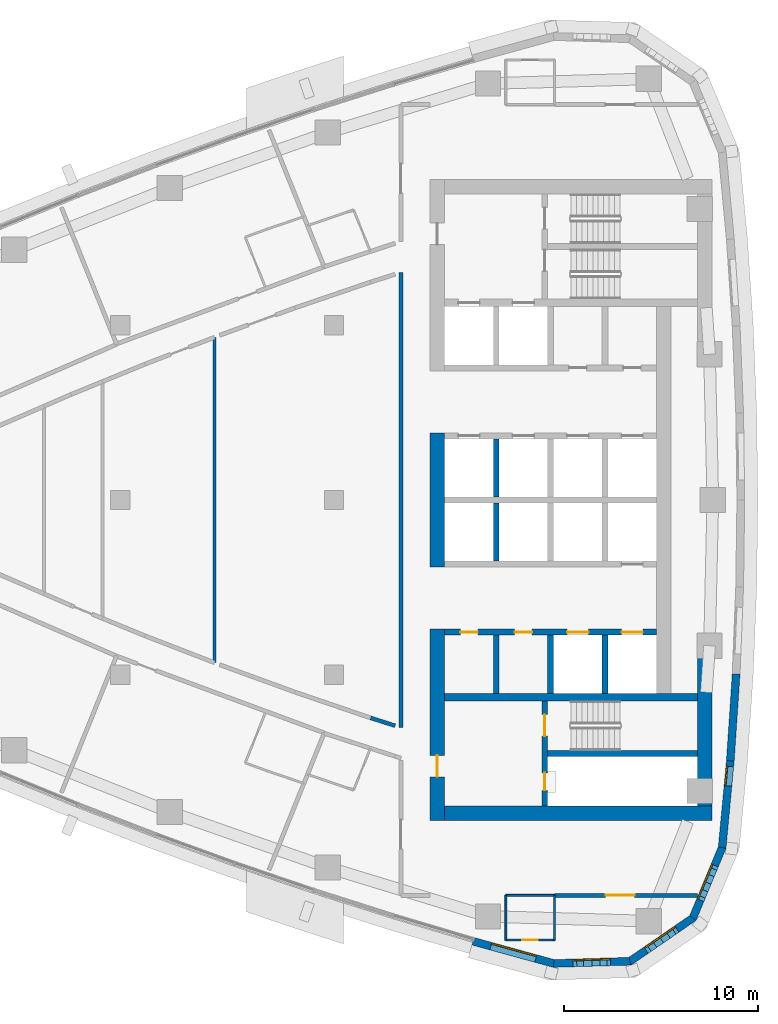
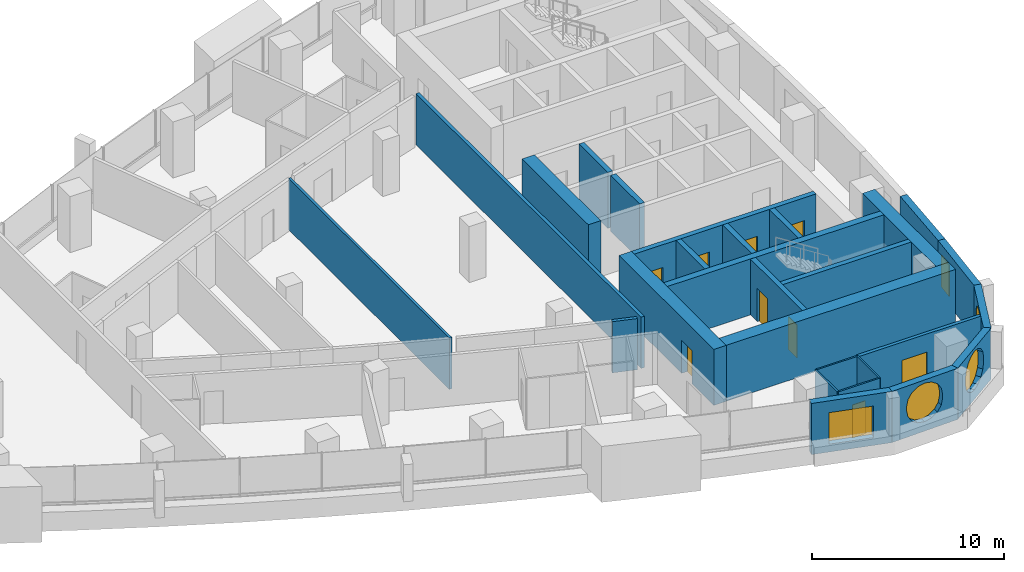
# One storey, part 10 of 17: 27 walls, 9 doors, 5 windows, 14 openings.
"""IFC4 building model written with IfcOpenShell, lengths in metres."""

import ifcopenshell
import ifcopenshell.guid

model = None  # the IFC model being written
_history = None  # IfcOwnerHistory: only IFC2X3 demands one
_inside = {}  # id of a spatial element -> (the spatial element, [elements in it])
_under = {}  # id of a project, library or spatial element -> (it, [spatial elements below it])
_declared = {}  # id of a project -> (the project, [libraries it declares])
_typed = {}  # id of a type object -> (the type object, [elements of that type])
_made_of = {}  # id of a material, layer set ... -> (it, [elements and type objects made of it])


def new_model(schema):
    """Start an empty IFC model of exactly this schema.

    Asked for "IFC4X3", IfcOpenShell would pick the latest addendum, in which some entities
    have other attributes; the version numbers below select the first issue.
    IFC2X3 requires an IfcOwnerHistory on every rooted entity: one is made here for all.
    """
    global model, _history
    if schema == "IFC4X3":
        model = ifcopenshell.file(schema_version=(4, 3, 0, 0))
    else:
        model = ifcopenshell.file(schema=schema)
    _inside.clear()
    _under.clear()
    _declared.clear()
    _typed.clear()
    _made_of.clear()
    _history = None
    if model.schema == "IFC2X3":
        org = make("IfcOrganization", Name="unknown")
        user = make(
            "IfcPersonAndOrganization",
            ThePerson=make("IfcPerson", FamilyName="unknown"),
            TheOrganization=org,
        )
        app = make(
            "IfcApplication",
            ApplicationDeveloper=org,
            Version="unknown",
            ApplicationFullName="unknown",
            ApplicationIdentifier="unknown",
        )
        _history = make(
            "IfcOwnerHistory",
            OwningUser=user,
            OwningApplication=app,
            ChangeAction="ADDED",
            CreationDate=0,
        )
    return model


def make(cls, **values):
    """One entity of the class cls with the attributes given. An attribute that is None is left unset."""
    return model.create_entity(
        cls, **{name: value for name, value in values.items() if value is not None}
    )


def rooted(cls, **values):
    """An entity with a GlobalId (a new one), such as an element, a storey or a relation."""
    return make(cls, GlobalId=ifcopenshell.guid.new(), OwnerHistory=_history, **values)


def si_unit(unit_type, name, prefix=None):
    """IfcSIUnit, for example si_unit("LENGTHUNIT", "METRE", prefix="MILLI")."""
    return make("IfcSIUnit", UnitType=unit_type, Prefix=prefix, Name=name)


def assignment(units):
    """IfcUnitAssignment: the units of a project."""
    return None if units is None else make("IfcUnitAssignment", Units=units)


def point(xyz):
    """IfcCartesianPoint."""
    return None if xyz is None else make("IfcCartesianPoint", Coordinates=xyz)


def direction(xyz):
    """IfcDirection."""
    return None if xyz is None else make("IfcDirection", DirectionRatios=xyz)


def frame(location, z_axis=None, x_axis=None):
    """IfcAxis2Placement3D, a coordinate frame: its origin and axes. An axis left out is left unset."""
    return make(
        "IfcAxis2Placement3D",
        Location=point(location),
        Axis=direction(z_axis),
        RefDirection=direction(x_axis),
    )


def frame_2d(location, x_axis=None):
    """IfcAxis2Placement2D, a coordinate frame in the plane: its origin and x axis."""
    return make(
        "IfcAxis2Placement2D", Location=point(location), RefDirection=direction(x_axis)
    )


def origin():
    """The frame at (0, 0, 0) with its axes left unset."""
    return frame((0.0, 0.0, 0.0))


def place(relative_to, where):
    """IfcLocalPlacement: puts the frame where relative to a parent placement (None: the world)."""
    return make(
        "IfcLocalPlacement", PlacementRelTo=relative_to, RelativePlacement=where
    )


def context(
    kind, dimensions, precision=None, world=None, true_north=None, identifier=None
):
    """IfcGeometricRepresentationContext, for example the 3D "Model" context."""
    return make(
        "IfcGeometricRepresentationContext",
        ContextIdentifier=identifier,
        ContextType=kind,
        CoordinateSpaceDimension=dimensions,
        Precision=precision,
        WorldCoordinateSystem=world,
        TrueNorth=true_north,
    )


def subcontext(parent, identifier, kind, view, scale=None):
    """IfcGeometricRepresentationSubContext, for example "Body" below "Model"."""
    return make(
        "IfcGeometricRepresentationSubContext",
        ContextIdentifier=identifier,
        ContextType=kind,
        ParentContext=parent,
        TargetScale=scale,
        TargetView=view,
    )


def project(units=None, contexts=None):
    """IfcProject with its units and contexts."""
    return rooted(
        "IfcProject",
        Name="project",
        RepresentationContexts=contexts,
        UnitsInContext=assignment(units),
    )


def spatial(cls, under=None, at=None, **own):
    """A site, building, storey or space (cls), placed at a placement, below another one or the project."""
    s = rooted(cls, ObjectPlacement=at, **own)
    if under is not None:
        _under.setdefault(under.id(), (under, []))[1].append(s)
    return s


def polyline(points):
    """IfcPolyline through the points."""
    return make("IfcPolyline", Points=[point(p) for p in points])


def profile(cls, at=None, kind="AREA", **sizes):
    """A parametric profile (cls). Its sizes go by their IFC names, for example OverallWidth=200.0."""
    return make(cls, ProfileType=kind, Position=at, **sizes)


def rectangle(**sizes):
    """IfcRectangleProfileDef."""
    return profile("IfcRectangleProfileDef", **sizes)


def outline(outer, holes=None, kind="AREA"):
    """IfcArbitraryClosedProfileDef: a profile drawn as a closed curve; with holes, ...WithVoids."""
    if holes is None:
        return make("IfcArbitraryClosedProfileDef", ProfileType=kind, OuterCurve=outer)
    return make(
        "IfcArbitraryProfileDefWithVoids",
        ProfileType=kind,
        OuterCurve=outer,
        InnerCurves=holes,
    )


def extrude(swept, where, along, depth):
    """IfcExtrudedAreaSolid: the profile swept, set in the frame where, extruded along a direction by depth."""
    return make(
        "IfcExtrudedAreaSolid",
        SweptArea=swept,
        Position=where,
        ExtrudedDirection=direction(along),
        Depth=depth,
    )


def shape(context_of_items, identifier, shape_type, items):
    """IfcShapeRepresentation: the items that make up one representation, for example the "Body"."""
    return make(
        "IfcShapeRepresentation",
        ContextOfItems=context_of_items,
        RepresentationIdentifier=identifier,
        RepresentationType=shape_type,
        Items=items,
    )


def material(Name=None, Category=None):
    """IfcMaterial."""
    return make("IfcMaterial", Name=Name, Category=Category)


def layer(
    of_material, thickness, ventilated=None, Name=None, Category=None, Priority=None
):
    """IfcMaterialLayer: one layer of a wall or slab, of a material (None: an air gap)."""
    return make(
        "IfcMaterialLayer",
        Material=of_material,
        LayerThickness=thickness,
        IsVentilated=ventilated,
        Name=Name,
        Category=Category,
        Priority=Priority,
    )


def layer_set(layers, Name=None):
    """IfcMaterialLayerSet."""
    return make("IfcMaterialLayerSet", MaterialLayers=layers, LayerSetName=Name)


def made_of(thing, what):
    """Note that an element or type object is made of a material, layer set ...; save() writes the relation."""
    if what is not None:
        _made_of.setdefault(what.id(), (what, []))[1].append(thing)
    return thing


def type_object(cls, material=None, **own):
    """A type object (cls), such as IfcWallType, which elements share."""
    return made_of(rooted(cls, **own), material)


def element(
    cls,
    number,
    at=None,
    inside=None,
    cuts=None,
    type_object=None,
    material=None,
    context=None,
    identifier="Body",
    shape_type=None,
    held_by="IfcProductDefinitionShape",
    body=None,
    shapes=None,
    **own,
):
    """One element of the class cls, such as IfcWall. Its Tag is "e" and its number.

    at: its placement. inside: the storey or other place that contains it. cuts: it is an
    opening in that element (IfcRelVoidsElement). A single representation is given by context,
    identifier, shape_type and body (its items); several are given by shapes. held_by: the class
    of the entity that holds the representations. save() writes the other relations.
    """
    e = rooted(cls, Tag="e%d" % number, ObjectPlacement=at, **own)
    if body is not None:
        shapes = [shape(context, identifier, shape_type, body)]
    if shapes is not None:
        e.Representation = make(held_by, Representations=shapes)
    if inside is not None:
        _inside.setdefault(inside.id(), (inside, []))[1].append(e)
    if cuts is not None:
        rooted(
            "IfcRelVoidsElement", RelatingBuildingElement=cuts, RelatedOpeningElement=e
        )
    if type_object is not None:
        _typed.setdefault(type_object.id(), (type_object, []))[1].append(e)
    return made_of(e, material)


def fill(opening, filler):
    """IfcRelFillsElement: the door or window that sits in an opening."""
    return rooted(
        "IfcRelFillsElement",
        RelatingOpeningElement=opening,
        RelatedBuildingElement=filler,
    )


def aggregate(whole, parts):
    """IfcRelAggregates: a whole, such as a stair, and the parts it consists of."""
    return rooted("IfcRelAggregates", RelatingObject=whole, RelatedObjects=parts)


def save(model, path):
    """Write the relations noted so far, then the file.

    IfcRelAggregates (storeys below a building ...), IfcRelContainedInSpatialStructure (elements
    in a storey), IfcRelDefinesByType, IfcRelAssociatesMaterial and IfcRelDeclares: one each for
    every whole, place, type object, material and project.
    """
    for whole, parts in _under.values():
        aggregate(whole, parts)
    for where, things in _inside.values():
        rooted(
            "IfcRelContainedInSpatialStructure",
            RelatedElements=things,
            RelatingStructure=where,
        )
    for kind, things in _typed.values():
        rooted("IfcRelDefinesByType", RelatedObjects=things, RelatingType=kind)
    for what, things in _made_of.values():
        rooted("IfcRelAssociatesMaterial", RelatedObjects=things, RelatingMaterial=what)
    for by, libraries in _declared.values():
        rooted("IfcRelDeclares", RelatingContext=by, RelatedDefinitions=libraries)
    model.write(path)


model = new_model("IFC4")

# Units and contexts
model_context = context("Model", 3, precision=1e-05, world=origin(), true_north=direction((0.0, 1.0)))
body_context = subcontext(model_context, "Body", "Model", "MODEL_VIEW")
ifc_project = project(units=[si_unit("LENGTHUNIT", "METRE"), si_unit("AREAUNIT", "SQUARE_METRE"), si_unit("VOLUMEUNIT", "CUBIC_METRE"), si_unit("PLANEANGLEUNIT", "RADIAN"), si_unit("MASSUNIT", "GRAM", prefix="KILO")], contexts=[model_context])

# Site, building, storey
site_placement = place(None, origin())
site = spatial("IfcSite", under=ifc_project, at=site_placement, CompositionType="ELEMENT")
building_placement = place(site_placement, origin())
building = spatial("IfcBuilding", under=site, at=building_placement, Name="Ostrand Prow Hotel Tower", CompositionType="ELEMENT")
storey_placement = place(building_placement, frame((0.0, 0.0, 182.60009765625)))
storey = spatial("IfcBuildingStorey", under=building, at=storey_placement, Name="L45", CompositionType="ELEMENT", Elevation=182.60009765625)

# Wall
ifc_material_1 = material(Name="Concrete C60/75", Category="concrete")
ifc_layer_1 = layer(ifc_material_1, 0.300048828125)
ifc_layer_set_1 = layer_set([ifc_layer_1], Name="Concrete C60/75")
wall_type_1 = type_object("IfcWallType", Name="Core wall 300 C60/75", PredefinedType="SHEAR", material=ifc_layer_set_1)
wall_1_placement = place(storey_placement, frame((53.35009765625, 0.14990234375, 0.0), z_axis=(0.0, 0.0, 1.0), x_axis=(0.0, 1.0, 0.0)))
element("IfcWall", 1, at=wall_1_placement, inside=storey, type_object=wall_type_1, Name="Core wall PW-R1-NB", PredefinedType="SHEAR", context=body_context, shape_type="SweptSolid", body=[
    extrude(rectangle(XDim=3.0, YDim=0.300048828125, at=frame_2d((1.5, 0.0))), origin(), (0.0, 0.0, 1.0), 3.5498046875),
])

# Wall, openings, doors
wall_2_placement = place(storey_placement, frame((50.699951171875, -6.800048828125, 0.0), z_axis=(0.0, 0.0, 1.0), x_axis=(1.0, 0.0, 0.0)))
wall_2 = element("IfcWall", 2, at=wall_2_placement, inside=storey, type_object=wall_type_1, Name="Core wall PW-L2-S", PredefinedType="SHEAR", context=body_context, shape_type="SweptSolid", body=[
    extrude(rectangle(XDim=10.900146484375, YDim=0.300048828125, at=frame_2d((5.4501953125, 0.0))), origin(), (0.0, 0.0, 1.0), 3.5498046875),
])
opening_1_placement = place(wall_2_placement, frame((6.300048828125, 0.0, 0.0)))
opening_1 = element("IfcOpeningElement", 3, at=opening_1_placement, cuts=wall_2, Name="Opening LD", PredefinedType="OPENING", context=body_context, shape_type="SweptSolid", body=[
    extrude(rectangle(XDim=1.10009765625, YDim=2.10009765625, at=frame_2d((0.550048828125, 1.050048828125))), frame((0.0, 0.159912109375, 0.0), z_axis=(0.0, -1.0, 0.0), x_axis=(1.0, 0.0, 0.0)), (0.0, 0.0, 1.0), 0.320068359375),
])
opening_2_placement = place(wall_2_placement, frame((9.10009765625, 0.0, 0.0)))
opening_2 = element("IfcOpeningElement", 4, at=opening_2_placement, cuts=wall_2, Name="Opening LD", PredefinedType="OPENING", context=body_context, shape_type="SweptSolid", body=[
    extrude(rectangle(XDim=1.10009765625, YDim=2.10009765625, at=frame_2d((0.550048828125, 1.050048828125))), frame((0.0, 0.159912109375, 0.0), z_axis=(0.0, -1.0, 0.0), x_axis=(1.0, 0.0, 0.0)), (0.0, 0.0, 1.0), 0.320068359375),
])
opening_3_placement = place(wall_2_placement, frame((0.800048828125, 0.0, 0.0)))
opening_3 = element("IfcOpeningElement", 5, at=opening_3_placement, cuts=wall_2, Name="Opening FD2", PredefinedType="OPENING", context=body_context, shape_type="SweptSolid", body=[
    extrude(rectangle(XDim=0.89990234375, YDim=2.10009765625, at=frame_2d((0.449951171875, 1.050048828125))), frame((0.0, 0.159912109375, 0.0), z_axis=(0.0, -1.0, 0.0), x_axis=(1.0, 0.0, 0.0)), (0.0, 0.0, 1.0), 0.320068359375),
])
opening_4_placement = place(wall_2_placement, frame((3.60009765625, 0.0, 0.0)))
opening_4 = element("IfcOpeningElement", 6, at=opening_4_placement, cuts=wall_2, Name="Opening FD2", PredefinedType="OPENING", context=body_context, shape_type="SweptSolid", body=[
    extrude(rectangle(XDim=0.89990234375, YDim=2.10009765625, at=frame_2d((0.449951171875, 1.050048828125))), frame((0.0, 0.159912109375, 0.0), z_axis=(0.0, -1.0, 0.0), x_axis=(1.0, 0.0, 0.0)), (0.0, 0.0, 1.0), 0.320068359375),
])
ifc_material_2 = material(Name="Steel fire door", Category="steel")
door_type_1 = type_object("IfcDoorType", Name="Fire door 900 EI120", OperationType="SINGLE_SWING_LEFT", PredefinedType="DOOR", material=ifc_material_2)
door_1_placement = place(opening_3_placement, origin())
door_1 = element("IfcDoor", 7, at=door_1_placement, inside=storey, type_object=door_type_1, Name="DOOR", OperationType="SINGLE_SWING_LEFT", OverallHeight=2.10009765625, OverallWidth=0.89990234375, PredefinedType="DOOR", context=body_context, shape_type="SweptSolid", body=[
    extrude(rectangle(XDim=0.89990234375, YDim=2.10009765625, at=frame_2d((0.449951171875, 1.050048828125))), frame((0.0, 0.02490234375, 0.0), z_axis=(0.0, -1.0, 0.0), x_axis=(1.0, 0.0, 0.0)), (0.0, 0.0, 1.0), 0.050048828125),
])
fill(opening_3, door_1)
door_2_placement = place(opening_4_placement, origin())
door_2 = element("IfcDoor", 8, at=door_2_placement, inside=storey, type_object=door_type_1, Name="DOOR", OperationType="SINGLE_SWING_LEFT", OverallHeight=2.10009765625, OverallWidth=0.89990234375, PredefinedType="DOOR", context=body_context, shape_type="SweptSolid", body=[
    extrude(rectangle(XDim=0.89990234375, YDim=2.10009765625, at=frame_2d((0.449951171875, 1.050048828125))), frame((0.0, 0.02490234375, 0.0), z_axis=(0.0, -1.0, 0.0), x_axis=(1.0, 0.0, 0.0)), (0.0, 0.0, 1.0), 0.050048828125),
])
fill(opening_4, door_2)
ifc_material_3 = material(Name="Stainless steel door", Category="steel")
door_type_2 = type_object("IfcDoorType", Name="Lift landing door 1100", OperationType="DOUBLE_DOOR_SLIDING", PredefinedType="DOOR", material=ifc_material_3)
door_3_placement = place(opening_1_placement, origin())
door_3 = element("IfcDoor", 9, at=door_3_placement, inside=storey, type_object=door_type_2, Name="LIFT LANDING DOOR", OperationType="DOUBLE_DOOR_SLIDING", OverallHeight=2.10009765625, OverallWidth=1.10009765625, PredefinedType="DOOR", context=body_context, shape_type="SweptSolid", body=[
    extrude(rectangle(XDim=1.10009765625, YDim=2.10009765625, at=frame_2d((0.550048828125, 1.050048828125))), frame((0.0, 0.02490234375, 0.0), z_axis=(0.0, -1.0, 0.0), x_axis=(1.0, 0.0, 0.0)), (0.0, 0.0, 1.0), 0.050048828125),
])
fill(opening_1, door_3)
door_4_placement = place(opening_2_placement, origin())
door_4 = element("IfcDoor", 10, at=door_4_placement, inside=storey, type_object=door_type_2, Name="LIFT LANDING DOOR", OperationType="DOUBLE_DOOR_SLIDING", OverallHeight=2.10009765625, OverallWidth=1.10009765625, PredefinedType="DOOR", context=body_context, shape_type="SweptSolid", body=[
    extrude(rectangle(XDim=1.10009765625, YDim=2.10009765625, at=frame_2d((0.550048828125, 1.050048828125))), frame((0.0, 0.02490234375, 0.0), z_axis=(0.0, -1.0, 0.0), x_axis=(1.0, 0.0, 0.0)), (0.0, 0.0, 1.0), 0.050048828125),
])
fill(opening_2, door_4)

# Walls
for number, where, z_axis, x_axis, name in (
    (11, (53.35009765625, -3.14990234375, 0.0), (0.0, 0.0, 1.0), (0.0, 1.0, 0.0), "Core wall PW-R1-SB"),
    (12, (53.35009765625, -9.949951171875, 0.0), (0.0, 0.0, 1.0), (0.0, 1.0, 0.0), "Core wall PW-R1-SA"),
    (13, (56.14990234375, -9.949951171875, 0.0), (0.0, 0.0, 1.0), (0.0, 1.0, 0.0), "Core wall PW-R2-SA"),
    (14, (58.949951171875, -9.949951171875, 0.0), (0.0, 0.0, 1.0), (0.0, 1.0, 0.0), "Core wall PW-R3-SA"),
):
    element("IfcWall", number, at=place(storey_placement, frame(where, z_axis=z_axis, x_axis=x_axis)), inside=storey, type_object=wall_type_1, Name=name, PredefinedType="SHEAR", context=body_context, shape_type="SweptSolid", body=[
        extrude(rectangle(XDim=3.0, YDim=0.300048828125, at=frame_2d((1.5, 0.0))), origin(), (0.0, 0.0, 1.0), 3.5498046875),
    ])

# Wall, openings, doors
wall_3_placement = place(storey_placement, frame((55.85009765625, -15.75, 0.0), z_axis=(0.0, 0.0, 1.0), x_axis=(0.0, 1.0, 0.0)))
wall_3 = element("IfcWall", 15, at=wall_3_placement, inside=storey, type_object=wall_type_1, Name="Core wall PW-VS", PredefinedType="SHEAR", context=body_context, shape_type="SweptSolid", body=[
    extrude(rectangle(XDim=5.39990234375, YDim=0.300048828125, at=frame_2d((2.699951171875, 0.0))), origin(), (0.0, 0.0, 1.0), 3.5498046875),
])
opening_5_placement = place(wall_3_placement, frame((3.60009765625, 0.0, 0.0)))
opening_5 = element("IfcOpeningElement", 16, at=opening_5_placement, cuts=wall_3, Name="Opening FD1", PredefinedType="OPENING", context=body_context, shape_type="SweptSolid", body=[
    extrude(rectangle(XDim=1.10009765625, YDim=2.10009765625, at=frame_2d((0.550048828125, 1.050048828125))), frame((0.0, 0.159912109375, 0.0), z_axis=(0.0, -1.0, 0.0), x_axis=(1.0, 0.0, 0.0)), (0.0, 0.0, 1.0), 0.320068359375),
])
opening_6_placement = place(wall_3_placement, frame((0.800048828125, 0.0, 0.0)))
opening_6 = element("IfcOpeningElement", 17, at=opening_6_placement, cuts=wall_3, Name="Opening FD2", PredefinedType="OPENING", context=body_context, shape_type="SweptSolid", body=[
    extrude(rectangle(XDim=0.89990234375, YDim=2.10009765625, at=frame_2d((0.449951171875, 1.050048828125))), frame((0.0, 0.159912109375, 0.0), z_axis=(0.0, -1.0, 0.0), x_axis=(1.0, 0.0, 0.0)), (0.0, 0.0, 1.0), 0.320068359375),
])
ifc_material_4 = material(Name="Steel fire door", Category="steel")
door_type_3 = type_object("IfcDoorType", Name="Fire door 1100 EI120", OperationType="SINGLE_SWING_RIGHT", PredefinedType="DOOR", material=ifc_material_4)
door_5_placement = place(opening_5_placement, origin())
door_5 = element("IfcDoor", 18, at=door_5_placement, inside=storey, type_object=door_type_3, Name="FIRE DOOR", OperationType="SINGLE_SWING_RIGHT", OverallHeight=2.10009765625, OverallWidth=1.10009765625, PredefinedType="DOOR", context=body_context, shape_type="SweptSolid", body=[
    extrude(rectangle(XDim=1.10009765625, YDim=2.10009765625, at=frame_2d((0.550048828125, 1.050048828125))), frame((0.0, 0.02490234375, 0.0), z_axis=(0.0, -1.0, 0.0), x_axis=(1.0, 0.0, 0.0)), (0.0, 0.0, 1.0), 0.050048828125),
])
fill(opening_5, door_5)
door_6_placement = place(opening_6_placement, origin())
door_6 = element("IfcDoor", 19, at=door_6_placement, inside=storey, type_object=door_type_1, Name="FIRE DOOR", OperationType="SINGLE_SWING_LEFT", OverallHeight=2.10009765625, OverallWidth=0.89990234375, PredefinedType="DOOR", context=body_context, shape_type="SweptSolid", body=[
    extrude(rectangle(XDim=0.89990234375, YDim=2.10009765625, at=frame_2d((0.449951171875, 1.050048828125))), frame((0.0, 0.02490234375, 0.0), z_axis=(0.0, -1.0, 0.0), x_axis=(1.0, 0.0, 0.0)), (0.0, 0.0, 1.0), 0.050048828125),
])
fill(opening_6, door_6)

# Walls
wall_4_placement = place(storey_placement, frame((56.0, -13.050048828125, 0.0), z_axis=(0.0, 0.0, 1.0), x_axis=(1.0, 0.0, 0.0)))
element("IfcWall", 20, at=wall_4_placement, inside=storey, type_object=wall_type_1, Name="Core wall PW-ST2R", PredefinedType="SHEAR", context=body_context, shape_type="SweptSolid", body=[
    extrude(rectangle(XDim=7.719970703125, YDim=0.300048828125, at=frame_2d((3.85986328125, 0.0))), origin(), (0.0, 0.0, 1.0), 3.5498046875),
])
ifc_material_5 = material(Name="Concrete C60/75", Category="concrete")
ifc_layer_2 = layer(ifc_material_5, 0.39990234375)
ifc_layer_set_2 = layer_set([ifc_layer_2], Name="Concrete C60/75")
wall_type_2 = type_object("IfcWallType", Name="Core wall 400 C60/75", PredefinedType="SHEAR", material=ifc_layer_set_2)
wall_5_placement = place(storey_placement, frame((50.699951171875, -10.14990234375, 0.0), z_axis=(0.0, 0.0, 1.0), x_axis=(1.0, 0.0, 0.0)))
element("IfcWall", 21, at=wall_5_placement, inside=storey, type_object=wall_type_2, Name="Core wall PW-BS", PredefinedType="SHEAR", context=body_context, shape_type="SweptSolid", body=[
    extrude(rectangle(XDim=13.02001953125, YDim=0.39990234375, at=frame_2d((6.510009765625, 0.0))), origin(), (0.0, 0.0, 1.0), 3.5498046875),
])
ifc_material_6 = material(Name="Concrete C60/75", Category="concrete")
ifc_layer_3 = layer(ifc_material_6, 0.75)
ifc_layer_set_3 = layer_set([ifc_layer_3], Name="Concrete C60/75")
wall_type_3 = type_object("IfcWallType", Name="Core wall 750 C60/75", PredefinedType="SHEAR", material=ifc_layer_set_3)
wall_6_placement = place(storey_placement, frame((50.324951171875, -3.449951171875, 0.0), z_axis=(0.0, 0.0, 1.0), x_axis=(0.0, 1.0, 0.0)))
element("IfcWall", 22, at=wall_6_placement, inside=storey, type_object=wall_type_3, Name="Core wall CW-W-C", PredefinedType="SHEAR", context=body_context, shape_type="SweptSolid", body=[
    extrude(rectangle(XDim=6.89990234375, YDim=0.75, at=frame_2d((3.449951171875, 0.0))), origin(), (0.0, 0.0, 1.0), 3.5498046875),
])

# Wall, opening, door
wall_7_placement = place(storey_placement, frame((50.324951171875, -16.5, 0.0), z_axis=(0.0, 0.0, 1.0), x_axis=(0.0, 1.0, 0.0)))
wall_7 = element("IfcWall", 23, at=wall_7_placement, inside=storey, type_object=wall_type_3, Name="Core wall CW-W-S", PredefinedType="SHEAR", context=body_context, shape_type="SweptSolid", body=[
    extrude(rectangle(XDim=9.85009765625, YDim=0.75, at=frame_2d((4.925048828125, 0.0))), origin(), (0.0, 0.0, 1.0), 3.5498046875),
])
opening_7_placement = place(wall_7_placement, frame((2.25, 0.0, 0.0)))
opening_7 = element("IfcOpeningElement", 24, at=opening_7_placement, cuts=wall_7, Name="Opening FD1", PredefinedType="OPENING", context=body_context, shape_type="SweptSolid", body=[
    extrude(rectangle(XDim=1.10009765625, YDim=2.10009765625, at=frame_2d((0.550048828125, 1.050048828125))), frame((0.0, 0.385009765625, 0.0), z_axis=(0.0, -1.0, 0.0), x_axis=(1.0, 0.0, 0.0)), (0.0, 0.0, 1.0), 0.77001953125),
])
door_7_placement = place(opening_7_placement, origin())
door_7 = element("IfcDoor", 25, at=door_7_placement, inside=storey, type_object=door_type_3, Name="FIRE DOOR", OperationType="SINGLE_SWING_RIGHT", OverallHeight=2.10009765625, OverallWidth=1.10009765625, PredefinedType="DOOR", context=body_context, shape_type="SweptSolid", body=[
    extrude(rectangle(XDim=1.10009765625, YDim=2.10009765625, at=frame_2d((0.550048828125, 1.050048828125))), frame((0.0, 0.02490234375, 0.0), z_axis=(0.0, -1.0, 0.0), x_axis=(1.0, 0.0, 0.0)), (0.0, 0.0, 1.0), 0.050048828125),
])
fill(opening_7, door_7)

# Walls
wall_8_placement = place(storey_placement, frame((50.699951171875, -16.125, 0.0), z_axis=(0.0, 0.0, 1.0), x_axis=(1.0, 0.0, 0.0)))
element("IfcWall", 26, at=wall_8_placement, inside=storey, type_object=wall_type_3, Name="Core wall CW-S", PredefinedType="SHEAR", context=body_context, shape_type="SweptSolid", body=[
    extrude(rectangle(XDim=13.77001953125, YDim=0.75, at=frame_2d((6.885009765625, 0.0))), origin(), (0.0, 0.0, 1.0), 3.5498046875),
])
wall_9_placement = place(storey_placement, frame((64.094970703125, -15.75, 0.0), z_axis=(0.0, 0.0, 1.0), x_axis=(0.0, 1.0, 0.0)))
element("IfcWall", 27, at=wall_9_placement, inside=storey, type_object=wall_type_3, Name="Core wall CW-E-S", PredefinedType="SHEAR", context=body_context, shape_type="SweptSolid", body=[
    extrude(rectangle(XDim=7.65087890625, YDim=0.75, at=frame_2d((3.825439453125, 0.0))), origin(), (0.0, 0.0, 1.0), 3.5498046875),
])

# Wall, opening, door
ifc_material_7 = material(Name="Plasterboard partition")
ifc_layer_4 = layer(ifc_material_7, 0.10009765625)
ifc_layer_set_4 = layer_set([ifc_layer_4], Name="Plasterboard partition")
wall_type_4 = type_object("IfcWallType", Name="Partition 100 bathroom wall", PredefinedType="PARTITIONING", material=ifc_layer_set_4)
wall_10_placement = place(storey_placement, frame((56.35009765625, -22.64990234375, 0.0), z_axis=(0.0, 0.0, 1.0), x_axis=(-1.0, 0.0, 0.0)))
wall_10 = element("IfcWall", 28, at=wall_10_placement, inside=storey, type_object=wall_type_4, Name="BATHROOM WALL", PredefinedType="PARTITIONING", context=body_context, shape_type="SweptSolid", body=[
    extrude(rectangle(XDim=2.5, YDim=0.10009765625, at=frame_2d((1.25, 0.0))), origin(), (0.0, 0.0, 1.0), 3.25),
])
opening_8_placement = place(wall_10_placement, frame((0.85009765625, 0.0, 0.0)))
opening_8 = element("IfcOpeningElement", 29, at=opening_8_placement, cuts=wall_10, Name="Opening D2", PredefinedType="OPENING", context=body_context, shape_type="SweptSolid", body=[
    extrude(rectangle(XDim=0.800048828125, YDim=2.10009765625, at=frame_2d((0.39990234375, 1.050048828125))), frame((0.0, 0.06005859375, 0.0), z_axis=(0.0, -1.0, 0.0), x_axis=(1.0, 0.0, 0.0)), (0.0, 0.0, 1.0), 0.1201171875),
])
ifc_material_8 = material(Name="Timber door leaf", Category="wood")
door_type_4 = type_object("IfcDoorType", Name="Bathroom door 800", OperationType="SINGLE_SWING_LEFT", PredefinedType="DOOR", material=ifc_material_8)
door_8_placement = place(opening_8_placement, origin())
door_8 = element("IfcDoor", 30, at=door_8_placement, inside=storey, type_object=door_type_4, Name="DOOR", OperationType="SINGLE_SWING_LEFT", OverallHeight=2.10009765625, OverallWidth=0.800048828125, PredefinedType="DOOR", context=body_context, shape_type="SweptSolid", body=[
    extrude(rectangle(XDim=0.800048828125, YDim=2.10009765625, at=frame_2d((0.39990234375, 1.050048828125))), frame((0.0, 0.02490234375, 0.0), z_axis=(0.0, -1.0, 0.0), x_axis=(1.0, 0.0, 0.0)), (0.0, 0.0, 1.0), 0.050048828125),
])
fill(opening_8, door_8)

# Walls
for number, where, z_axis, x_axis, name in (
    (31, (53.85009765625, -22.64990234375, 0.0), (0.0, 0.0, 1.0), (0.0, 1.0, 0.0), "BATHROOM WALL"),
    (32, (56.35009765625, -20.35009765625, 0.0), (0.0, 0.0, 1.0), (0.0, -1.0, 0.0), "BATHROOM WALL"),
):
    element("IfcWall", number, at=place(storey_placement, frame(where, z_axis=z_axis, x_axis=x_axis)), inside=storey, type_object=wall_type_4, Name=name, PredefinedType="PARTITIONING", context=body_context, shape_type="SweptSolid", body=[
        extrude(rectangle(XDim=2.2998046875, YDim=0.10009765625, at=frame_2d((1.14990234375, 0.0))), origin(), (0.0, 0.0, 1.0), 3.25),
    ])
wall_11_placement = place(storey_placement, frame((53.85009765625, -20.35498046875, 0.0), z_axis=(0.0, 0.0, 1.0), x_axis=(1.0, 0.0, 0.0)))
element("IfcWall", 33, at=wall_11_placement, inside=storey, type_object=wall_type_4, Name="BATHROOM WALL", PredefinedType="PARTITIONING", context=body_context, shape_type="SweptSolid", body=[
    extrude(rectangle(XDim=2.5, YDim=0.10009765625, at=frame_2d((1.25, 0.0))), origin(), (0.0, 0.0, 1.0), 3.25),
])
ifc_material_9 = material(Name="Plasterboard partition")
ifc_layer_5 = layer(ifc_material_9, 0.14990234375)
ifc_layer_set_5 = layer_set([ifc_layer_5], Name="Plasterboard partition")
wall_type_5 = type_object("IfcWallType", Name="Partition 150 room partition", PredefinedType="PARTITIONING", material=ifc_layer_set_5)
wall_12_placement = place(storey_placement, frame((38.843017578125, -8.3740234375, 0.0), z_axis=(0.0, 0.0, 1.0), x_axis=(0.0, 1.0, 0.0)))
element("IfcWall", 34, at=wall_12_placement, inside=storey, type_object=wall_type_5, Name="ROOM PARTITION", PredefinedType="PARTITIONING", context=body_context, shape_type="SweptSolid", body=[
    extrude(rectangle(XDim=16.748046875, YDim=0.14990234375, at=frame_2d((8.3740234375, 0.0))), origin(), (0.0, 0.0, 1.0), 3.25),
])

# Wall, opening, door
ifc_material_10 = material(Name="Plasterboard partition")
ifc_layer_6 = layer(ifc_material_10, 0.199951171875)
ifc_layer_set_6 = layer_set([ifc_layer_6], Name="Plasterboard partition")
wall_type_6 = type_object("IfcWallType", Name="Partition 200 corridor wall", PredefinedType="PARTITIONING", material=ifc_layer_set_6)
wall_13_placement = place(storey_placement, frame((56.35498046875, -20.35498046875, 0.0), z_axis=(0.0, 0.0, 1.0), x_axis=(1.0, 0.0, 0.0)))
wall_13 = element("IfcWall", 35, at=wall_13_placement, inside=storey, type_object=wall_type_6, Name="CORRIDOR WALL", PredefinedType="PARTITIONING", context=body_context, shape_type="SweptSolid", body=[
    extrude(rectangle(XDim=7.3544921875, YDim=0.199951171875, at=frame_2d((3.67724609375, 0.0))), origin(), (0.0, 0.0, 1.0), 3.25),
])
opening_9_placement = place(wall_13_placement, frame((2.623779296875, 0.0, 0.0)))
opening_9 = element("IfcOpeningElement", 36, at=opening_9_placement, cuts=wall_13, Name="Opening D15", PredefinedType="OPENING", context=body_context, shape_type="SweptSolid", body=[
    extrude(rectangle(XDim=1.5, YDim=2.10009765625, at=frame_2d((0.75, 1.050048828125))), frame((0.0, 0.10986328125, 0.0), z_axis=(0.0, -1.0, 0.0), x_axis=(1.0, 0.0, 0.0)), (0.0, 0.0, 1.0), 0.219970703125),
])
ifc_material_11 = material(Name="Timber door leaf", Category="wood")
door_type_5 = type_object("IfcDoorType", Name="Double door 1500", OperationType="DOUBLE_DOOR_SINGLE_SWING", PredefinedType="DOOR", material=ifc_material_11)
door_9_placement = place(opening_9_placement, origin())
door_9 = element("IfcDoor", 37, at=door_9_placement, inside=storey, type_object=door_type_5, Name="DOOR", OperationType="DOUBLE_DOOR_SINGLE_SWING", OverallHeight=2.10009765625, OverallWidth=1.5, PredefinedType="DOOR", context=body_context, shape_type="SweptSolid", body=[
    extrude(rectangle(XDim=1.5, YDim=2.10009765625, at=frame_2d((0.75, 1.050048828125))), frame((0.0, 0.02490234375, 0.0), z_axis=(0.0, -1.0, 0.0), x_axis=(1.0, 0.0, 0.0)), (0.0, 0.0, 1.0), 0.050048828125),
])
fill(opening_9, door_9)

# Walls
wall_14_placement = place(storey_placement, frame((48.14990234375, -11.62109375, 0.0), z_axis=(0.0, 0.0, 1.0), x_axis=(-0.952761948983, 0.303718074157, 0.0)))
element("IfcWall", 38, at=wall_14_placement, inside=storey, type_object=wall_type_6, Name="CORRIDOR WALL", PredefinedType="PARTITIONING", context=body_context, shape_type="SweptSolid", body=[
    extrude(rectangle(XDim=1.33203125, YDim=0.199951171875, at=frame_2d((0.666015625, 0.0))), origin(), (0.0, 0.0, 1.0), 3.25),
])
wall_15_placement = place(storey_placement, frame((48.445068359375, 11.7099609375, 0.0), z_axis=(0.0, 0.0, 1.0), x_axis=(0.0, -1.0, 0.0)))
element("IfcWall", 39, at=wall_15_placement, inside=storey, type_object=wall_type_6, Name="CORRIDOR WALL", PredefinedType="PARTITIONING", context=body_context, shape_type="SweptSolid", body=[
    extrude(rectangle(XDim=23.419921875, YDim=0.199951171875, at=frame_2d((11.7099609375, 0.0))), origin(), (0.0, 0.0, 1.0), 3.25),
])

# Wall, opening, window
ifc_material_12 = material(Name="Precast concrete C40/50", Category="concrete")
ifc_layer_7 = layer(ifc_material_12, 0.39990234375)
ifc_layer_set_7 = layer_set([ifc_layer_7], Name="Precast concrete C40/50")
wall_type_7 = type_object("IfcWallType", Name="Stone-faced precast wall 400 mm", PredefinedType="NOTDEFINED", material=ifc_layer_set_7)
wall_16_placement = place(storey_placement, frame((52.15478515625, -22.7158203125, 0.0), z_axis=(0.0, 0.0, 1.0), x_axis=(0.964205755089, -0.265155165617, 0.0)))
wall_16 = element("IfcWall", 40, at=wall_16_placement, inside=storey, type_object=wall_type_7, Name="Stone-faced wall back 1", PredefinedType="NOTDEFINED", context=body_context, shape_type="SweptSolid", body=[
    extrude(outline(polyline([(0.0, -0.199951171875), (4.3369140625, -0.199951171875), (4.27734375, 0.199951171875), (0.0, 0.199951171875), (0.0, -0.199951171875)])), origin(), (0.0, 0.0, 1.0), 3.25),
])
opening_10_placement = place(wall_16_placement, frame((0.95361328125, 0.0, 0.5)))
opening_10 = element("IfcOpeningElement", 41, at=opening_10_placement, cuts=wall_16, Name="Opening WA1", PredefinedType="OPENING", context=body_context, shape_type="SweptSolid", body=[
    extrude(rectangle(XDim=2.39990234375, YDim=2.0, at=frame_2d((1.199951171875, 1.0))), frame((0.0, 0.2099609375, 0.0), z_axis=(0.0, -1.0, 0.0), x_axis=(1.0, 0.0, 0.0)), (0.0, 0.0, 1.0), 0.419921875),
])
ifc_material_13 = material(Name="Insulated glass in bronze frame", Category="glass")
window_type_1 = type_object("IfcWindowType", Name="Amenity picture window 2400x2000", PartitioningType="SINGLE_PANEL", PredefinedType="WINDOW", material=ifc_material_13)
window_1_placement = place(opening_10_placement, origin())
window_1 = element("IfcWindow", 42, at=window_1_placement, inside=storey, type_object=window_type_1, Name="Window back 1.1", OverallHeight=2.0, OverallWidth=2.39990234375, PartitioningType="SINGLE_PANEL", PredefinedType="WINDOW", context=body_context, shape_type="SweptSolid", body=[
    extrude(rectangle(XDim=2.39990234375, YDim=2.0, at=frame_2d((1.199951171875, 1.0))), frame((0.0, 0.169921875, 0.0), z_axis=(0.0, -1.0, 0.0), x_axis=(1.0, 0.0, 0.0)), (0.0, 0.0, 1.0), 0.06005859375),
])
fill(opening_10, window_1)

wall_17_placement = place(storey_placement, frame((56.307861328125, -23.85791015625, 0.0), z_axis=(0.0, 0.0, 1.0), x_axis=(0.999587920197, 0.028705222472, 0.0)))
wall_17 = element("IfcWall", 43, at=wall_17_placement, inside=storey, type_object=wall_type_7, Name="Stone-faced wall back 2", PredefinedType="NOTDEFINED", context=body_context, shape_type="SweptSolid", body=[
    extrude(outline(polyline([(-0.02978515625, -0.199951171875), (3.988525390625, -0.199951171875), (3.870361328125, 0.199951171875), (0.02978515625, 0.199951171875), (-0.02978515625, -0.199951171875)])), origin(), (0.0, 0.0, 1.0), 3.25),
])
opening_11_placement = place(wall_17_placement, frame((0.864501953125, 0.0, 0.60009765625)))
opening_11 = element("IfcOpeningElement", 44, at=opening_11_placement, cuts=wall_17, Name="Opening WP2", PredefinedType="OPENING", context=body_context, shape_type="SweptSolid", body=[
    extrude(outline(polyline([(0.0, 1.35009765625), (0.083740234375, 1.77099609375), (0.322265625, 2.127685546875), (0.678955078125, 2.3662109375), (1.10009765625, 2.449951171875), (1.52099609375, 2.3662109375), (1.877685546875, 2.127685546875), (2.1162109375, 1.77099609375), (2.199951171875, 1.35009765625), (2.199951171875, 1.10009765625), (2.1162109375, 0.678955078125), (1.877685546875, 0.322265625), (1.52099609375, 0.083740234375), (1.10009765625, 0.0), (0.678955078125, 0.083740234375), (0.322265625, 0.322265625), (0.083740234375, 0.678955078125), (0.0, 1.099853515625), (0.0, 1.35009765625)])), frame((0.0, 0.2099609375, 0.0), z_axis=(0.0, -1.0, 0.0), x_axis=(1.0, 0.0, 0.0)), (0.0, 0.0, 1.0), 0.419921875),
])
ifc_material_14 = material(Name="Insulated glass in bronze frame", Category="glass")
window_type_2 = type_object("IfcWindowType", Name="Round-ended prow lounge window 2200x2450", PartitioningType="SINGLE_PANEL", PredefinedType="WINDOW", material=ifc_material_14)
window_2_placement = place(opening_11_placement, origin())
window_2 = element("IfcWindow", 45, at=window_2_placement, inside=storey, type_object=window_type_2, Name="Window back 2.1", OverallHeight=2.449951171875, OverallWidth=2.199951171875, PartitioningType="SINGLE_PANEL", PredefinedType="WINDOW", context=body_context, shape_type="SweptSolid", body=[
    extrude(outline(polyline([(0.0, 1.35009765625), (0.083740234375, 1.77099609375), (0.322265625, 2.127685546875), (0.678955078125, 2.3662109375), (1.10009765625, 2.449951171875), (1.52099609375, 2.3662109375), (1.877685546875, 2.127685546875), (2.1162109375, 1.77099609375), (2.199951171875, 1.35009765625), (2.199951171875, 1.10009765625), (2.1162109375, 0.678955078125), (1.877685546875, 0.322265625), (1.52099609375, 0.083740234375), (1.10009765625, 0.0), (0.678955078125, 0.083740234375), (0.322265625, 0.322265625), (0.083740234375, 0.678955078125), (0.0, 1.099853515625), (0.0, 1.35009765625)])), frame((0.0, 0.169921875, 0.0), z_axis=(0.0, -1.0, 0.0), x_axis=(1.0, 0.0, 0.0)), (0.0, 0.0, 1.0), 0.06005859375),
])
fill(opening_11, window_2)

wall_18_placement = place(storey_placement, frame((60.235595703125, -23.7451171875, 0.0), z_axis=(0.0, 0.0, 1.0), x_axis=(0.823806162588, 0.566871596115, 0.0)))
wall_18 = element("IfcWall", 46, at=wall_18_placement, inside=storey, type_object=wall_type_7, Name="Stone-faced wall back 3", PredefinedType="NOTDEFINED", context=body_context, shape_type="SweptSolid", body=[
    extrude(outline(polyline([(-0.05908203125, -0.199951171875), (3.98828125, -0.199951171875), (3.8701171875, 0.199951171875), (0.05908203125, 0.199951171875), (-0.05908203125, -0.199951171875)])), origin(), (0.0, 0.0, 1.0), 3.25),
])
opening_12_placement = place(wall_18_placement, frame((0.864501953125, 0.0, 0.60009765625)))
opening_12 = element("IfcOpeningElement", 47, at=opening_12_placement, cuts=wall_18, Name="Opening WP2", PredefinedType="OPENING", context=body_context, shape_type="SweptSolid", body=[
    extrude(outline(polyline([(0.0, 1.35009765625), (0.083740234375, 1.77099609375), (0.322265625, 2.127685546875), (0.678955078125, 2.3662109375), (1.10009765625, 2.449951171875), (1.52099609375, 2.3662109375), (1.877685546875, 2.127685546875), (2.1162109375, 1.77099609375), (2.199951171875, 1.35009765625), (2.199951171875, 1.10009765625), (2.1162109375, 0.678955078125), (1.877685546875, 0.322265625), (1.52099609375, 0.083740234375), (1.10009765625, 0.0), (0.678955078125, 0.083740234375), (0.322265625, 0.322265625), (0.083740234375, 0.678955078125), (0.0, 1.099853515625), (0.0, 1.35009765625)])), frame((0.0, 0.2099609375, 0.0), z_axis=(0.0, -1.0, 0.0), x_axis=(1.0, 0.0, 0.0)), (0.0, 0.0, 1.0), 0.419921875),
])
window_3_placement = place(opening_12_placement, origin())
window_3 = element("IfcWindow", 48, at=window_3_placement, inside=storey, type_object=window_type_2, Name="Window back 3.1", OverallHeight=2.449951171875, OverallWidth=2.199951171875, PartitioningType="SINGLE_PANEL", PredefinedType="WINDOW", context=body_context, shape_type="SweptSolid", body=[
    extrude(outline(polyline([(0.0, 1.35009765625), (0.083740234375, 1.77099609375), (0.322265625, 2.127685546875), (0.678955078125, 2.3662109375), (1.10009765625, 2.449951171875), (1.52099609375, 2.3662109375), (1.877685546875, 2.127685546875), (2.1162109375, 1.77099609375), (2.199951171875, 1.35009765625), (2.199951171875, 1.10009765625), (2.1162109375, 0.678955078125), (1.877685546875, 0.322265625), (1.52099609375, 0.083740234375), (1.10009765625, 0.0), (0.678955078125, 0.083740234375), (0.322265625, 0.322265625), (0.083740234375, 0.678955078125), (0.0, 1.099853515625), (0.0, 1.35009765625)])), frame((0.0, 0.169921875, 0.0), z_axis=(0.0, -1.0, 0.0), x_axis=(1.0, 0.0, 0.0)), (0.0, 0.0, 1.0), 0.06005859375),
])
fill(opening_12, window_3)

wall_19_placement = place(storey_placement, frame((63.472412109375, -21.517822265625, 0.0), z_axis=(0.0, 0.0, 1.0), x_axis=(0.383997619794, 0.923334082547, 0.0)))
wall_19 = element("IfcWall", 49, at=wall_19_placement, inside=storey, type_object=wall_type_7, Name="Stone-faced wall back 4", PredefinedType="NOTDEFINED", context=body_context, shape_type="SweptSolid", body=[
    extrude(outline(polyline([(-0.05908203125, -0.199951171875), (3.95947265625, -0.199951171875), (3.89892578125, 0.199951171875), (0.05908203125, 0.199951171875), (-0.05908203125, -0.199951171875)])), origin(), (0.0, 0.0, 1.0), 3.25),
])
opening_13_placement = place(wall_19_placement, frame((0.864501953125, 0.0, 0.60009765625)))
opening_13 = element("IfcOpeningElement", 50, at=opening_13_placement, cuts=wall_19, Name="Opening WP2", PredefinedType="OPENING", context=body_context, shape_type="SweptSolid", body=[
    extrude(outline(polyline([(0.0, 1.35009765625), (0.083740234375, 1.77099609375), (0.322265625, 2.127685546875), (0.678955078125, 2.3662109375), (1.10009765625, 2.449951171875), (1.52099609375, 2.3662109375), (1.877685546875, 2.127685546875), (2.1162109375, 1.77099609375), (2.199951171875, 1.35009765625), (2.199951171875, 1.10009765625), (2.1162109375, 0.678955078125), (1.877685546875, 0.322265625), (1.52099609375, 0.083740234375), (1.10009765625, 0.0), (0.678955078125, 0.083740234375), (0.322265625, 0.322265625), (0.083740234375, 0.678955078125), (0.0, 1.099853515625), (0.0, 1.35009765625)])), frame((0.0, 0.2099609375, 0.0), z_axis=(0.0, -1.0, 0.0), x_axis=(1.0, 0.0, 0.0)), (0.0, 0.0, 1.0), 0.419921875),
])
window_4_placement = place(opening_13_placement, origin())
window_4 = element("IfcWindow", 51, at=window_4_placement, inside=storey, type_object=window_type_2, Name="Window back 4.1", OverallHeight=2.449951171875, OverallWidth=2.199951171875, PartitioningType="SINGLE_PANEL", PredefinedType="WINDOW", context=body_context, shape_type="SweptSolid", body=[
    extrude(outline(polyline([(0.0, 1.35009765625), (0.083740234375, 1.77099609375), (0.322265625, 2.127685546875), (0.678955078125, 2.3662109375), (1.10009765625, 2.449951171875), (1.52099609375, 2.3662109375), (1.877685546875, 2.127685546875), (2.1162109375, 1.77099609375), (2.199951171875, 1.35009765625), (2.199951171875, 1.10009765625), (2.1162109375, 0.678955078125), (1.877685546875, 0.322265625), (1.52099609375, 0.083740234375), (1.10009765625, 0.0), (0.678955078125, 0.083740234375), (0.322265625, 0.322265625), (0.083740234375, 0.678955078125), (0.0, 1.099853515625), (0.0, 1.35009765625)])), frame((0.0, 0.169921875, 0.0), z_axis=(0.0, -1.0, 0.0), x_axis=(1.0, 0.0, 0.0)), (0.0, 0.0, 1.0), 0.06005859375),
])
fill(opening_13, window_4)

wall_20_placement = place(storey_placement, frame((64.981201171875, -17.889892578125, 0.0), z_axis=(0.0, 0.0, 1.0), x_axis=(0.093605694738, 0.995609348044, 0.0)))
wall_20 = element("IfcWall", 52, at=wall_20_placement, inside=storey, type_object=wall_type_7, Name="Stone-faced wall back 5", PredefinedType="NOTDEFINED", context=body_context, shape_type="SweptSolid", body=[
    extrude(outline(polyline([(-0.0302734375, -0.199951171875), (4.483642578125, -0.199951171875), (4.478271484375, 0.199951171875), (0.0302734375, 0.199951171875), (-0.0302734375, -0.199951171875)])), origin(), (0.0, 0.0, 1.0), 3.25),
])
opening_14_placement = place(wall_20_placement, frame((3.189208984375, 0.0, 0.5)))
opening_14 = element("IfcOpeningElement", 53, at=opening_14_placement, cuts=wall_20, Name="Opening WA1-10", PredefinedType="OPENING", context=body_context, shape_type="SweptSolid", body=[
    extrude(rectangle(XDim=1.0, YDim=2.0, at=frame_2d((0.5, 1.0))), frame((0.0, 0.2099609375, 0.0), z_axis=(0.0, -1.0, 0.0), x_axis=(1.0, 0.0, 0.0)), (0.0, 0.0, 1.0), 0.419921875),
])
ifc_material_15 = material(Name="Insulated glass in bronze frame", Category="glass")
window_type_3 = type_object("IfcWindowType", Name="Amenity picture window 1000x2000", PartitioningType="SINGLE_PANEL", PredefinedType="WINDOW", material=ifc_material_15)
window_5_placement = place(opening_14_placement, origin())
window_5 = element("IfcWindow", 54, at=window_5_placement, inside=storey, type_object=window_type_3, Name="Window back 5.1", OverallHeight=2.0, OverallWidth=1.0, PartitioningType="SINGLE_PANEL", PredefinedType="WINDOW", context=body_context, shape_type="SweptSolid", body=[
    extrude(rectangle(XDim=1.0, YDim=2.0, at=frame_2d((0.5, 1.0))), frame((0.0, 0.169921875, 0.0), z_axis=(0.0, -1.0, 0.0), x_axis=(1.0, 0.0, 0.0)), (0.0, 0.0, 1.0), 0.06005859375),
])
fill(opening_14, window_5)

# Wall
wall_21_placement = place(storey_placement, frame((65.400634765625, -13.4287109375, 0.0), z_axis=(0.0, 0.0, 1.0), x_axis=(0.066905935948, 0.997759287471, 0.0)))
element("IfcWall", 55, at=wall_21_placement, inside=storey, type_object=wall_type_7, Name="Stone-faced wall back 6", PredefinedType="NOTDEFINED", context=body_context, shape_type="SweptSolid", body=[
    extrude(outline(polyline([(-0.002685546875, -0.199951171875), (4.483642578125, -0.199951171875), (4.478271484375, 0.199951171875), (0.002685546875, 0.199951171875), (-0.002685546875, -0.199951171875)])), origin(), (0.0, 0.0, 1.0), 3.25),
])

save(model, "model.ifc")
